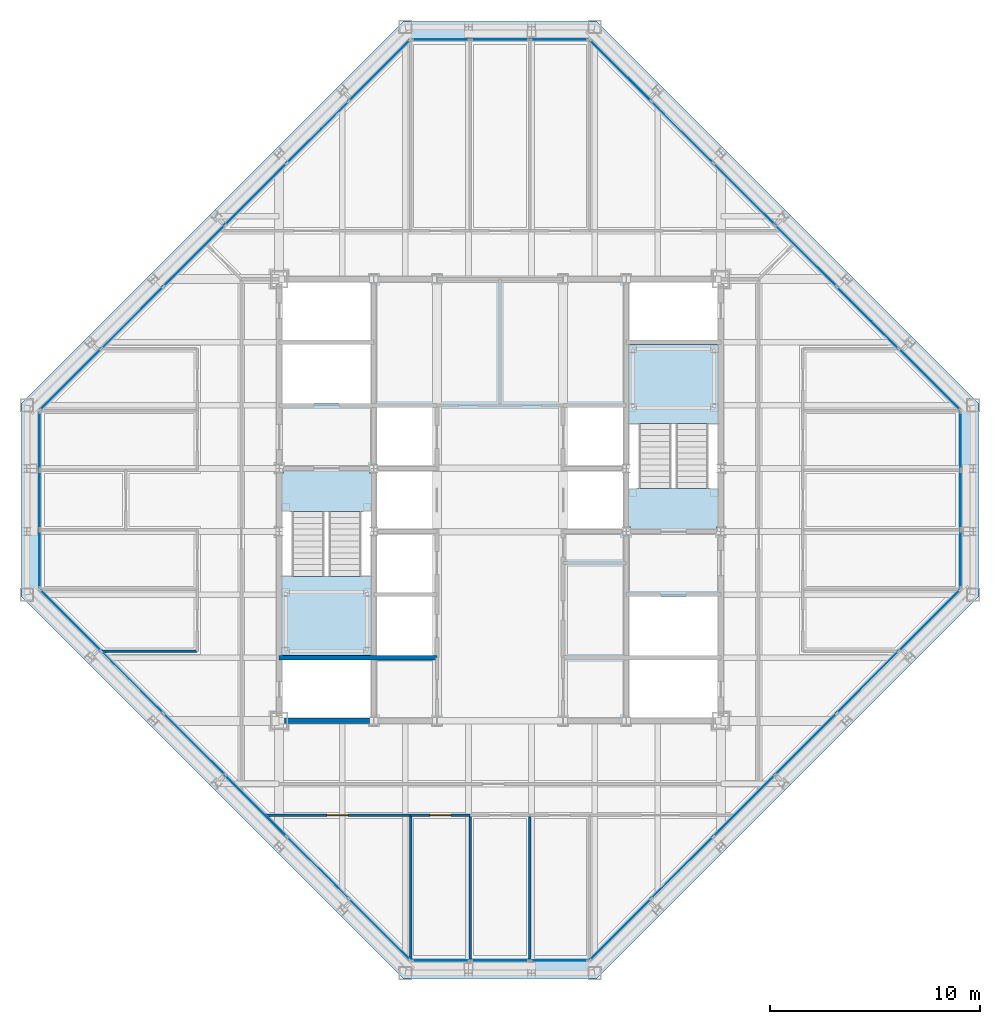
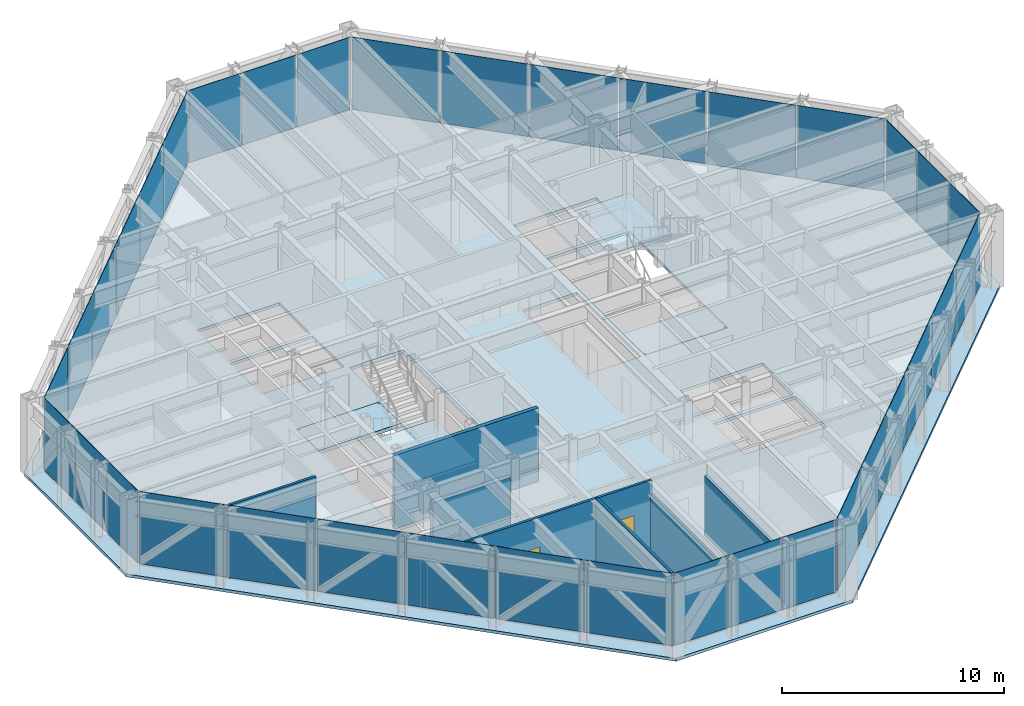
# One storey, part 9 of 15: 36 plates, 8 walls, 5 slabs, 2 doors, 2 openings, 10 elements without a shape of their own.
"""IFC4 building model written with IfcOpenShell, lengths in metres."""

from ifc_helpers import new_model, si_unit, direction, frame, frame_2d, origin, origin_2d, place, context, subcontext, project, spatial, polyline, rectangle, outline, extrude, material, layer, layer_set, type_object, element, fill, aggregate, save


model = new_model("IFC4")

# Units and contexts
model_context = context("Model", 3, precision=1e-05, world=origin(), true_north=direction((0.0, 1.0)))
body_context = subcontext(model_context, "Body", "Model", "MODEL_VIEW")
ifc_project = project(units=[si_unit("LENGTHUNIT", "METRE"), si_unit("AREAUNIT", "SQUARE_METRE"), si_unit("VOLUMEUNIT", "CUBIC_METRE"), si_unit("PLANEANGLEUNIT", "RADIAN"), si_unit("MASSUNIT", "GRAM", prefix="KILO")], contexts=[model_context])

# Site, building, storey
site_placement = place(None, origin())
site = spatial("IfcSite", under=ifc_project, at=site_placement, CompositionType="ELEMENT")
building_placement = place(site_placement, origin())
building = spatial("IfcBuilding", under=site, at=building_placement, Name="Chuquiago Exchange Tower", CompositionType="ELEMENT")
storey_placement = place(building_placement, frame((0.0, 0.0, 295.800048828125)))
storey = spatial("IfcBuildingStorey", under=building, at=storey_placement, Name="L66", CompositionType="ELEMENT", Elevation=295.800048828125)

# Curtain wall, plate
ifc_material_1 = material(Name="Aluminium curtain wall system", Category="aluminium")
ifc_layer_1 = layer(ifc_material_1, 0.22509765625)
ifc_layer_set_1 = layer_set([ifc_layer_1], Name="CW2 office curtain wall")
curtain_wall_type_1 = type_object("IfcCurtainWallType", Name="CW2 office curtain wall", PredefinedType="NOTDEFINED", material=ifc_layer_set_1)
curtain_wall_1_placement = place(storey_placement, origin())
curtain_wall_1 = element("IfcCurtainWall", 1, at=curtain_wall_1_placement, inside=storey, type_object=curtain_wall_type_1, Name="CW2 curtain wall L66", PredefinedType="NOTDEFINED")
ifc_material_2 = material(Name="Glass, insulating unit", Category="glass")
ifc_layer_2 = layer(ifc_material_2, 0.030029296875)
ifc_layer_set_2 = layer_set([ifc_layer_2], Name="CW2-P panel 30")
plate_type_1 = type_object("IfcPlateType", Name="CW2-P panel 30", PredefinedType="CURTAIN_PANEL", material=ifc_layer_set_2)
plate_1_placement = place(storey_placement, frame((25.318115234375, 0.60009765625, 0.06494140625), z_axis=(0.0, 0.0, 1.0), x_axis=(1.0, 0.0, 0.0)))
plate_1 = element("IfcPlate", 2, at=plate_1_placement, type_object=plate_type_1, Name="CW2 panel 3.1", PredefinedType="CURTAIN_PANEL", context=body_context, shape_type="SweptSolid", body=[
    extrude(rectangle(XDim=2.73681640625, YDim=0.030029296875, at=origin_2d()), origin(), (0.0, 0.0, 1.0), 3.97509765625),
])

curtain_wall_2_placement = place(storey_placement, origin())
curtain_wall_2 = element("IfcCurtainWall", 3, at=curtain_wall_2_placement, inside=storey, type_object=curtain_wall_type_1, Name="CW2 curtain wall L66", PredefinedType="NOTDEFINED")
plate_2_placement = place(storey_placement, frame((44.39990234375, 25.318115234375, 0.06494140625), z_axis=(0.0, 0.0, 1.0), x_axis=(0.0, 1.0, 0.0)))
plate_2 = element("IfcPlate", 4, at=plate_2_placement, type_object=plate_type_1, Name="CW2 panel 3.1", PredefinedType="CURTAIN_PANEL", context=body_context, shape_type="SweptSolid", body=[
    extrude(rectangle(XDim=2.73681640625, YDim=0.030029296875, at=origin_2d()), origin(), (0.0, 0.0, 1.0), 3.97509765625),
])

curtain_wall_3_placement = place(storey_placement, origin())
curtain_wall_3 = element("IfcCurtainWall", 5, at=curtain_wall_3_placement, inside=storey, type_object=curtain_wall_type_1, Name="CW2 curtain wall L66", PredefinedType="NOTDEFINED")
plate_3_placement = place(storey_placement, frame((19.681884765625, 44.39990234375, 0.06494140625), z_axis=(0.0, 0.0, 1.0), x_axis=(-1.0, 0.0, 0.0)))
plate_3 = element("IfcPlate", 6, at=plate_3_placement, type_object=plate_type_1, Name="CW2 panel 3.1", PredefinedType="CURTAIN_PANEL", context=body_context, shape_type="SweptSolid", body=[
    extrude(rectangle(XDim=2.73681640625, YDim=0.030029296875, at=origin_2d()), origin(), (0.0, 0.0, 1.0), 3.97509765625),
])

curtain_wall_4_placement = place(storey_placement, origin())
curtain_wall_4 = element("IfcCurtainWall", 7, at=curtain_wall_4_placement, inside=storey, type_object=curtain_wall_type_1, Name="CW2 curtain wall L66", PredefinedType="NOTDEFINED")
plate_4_placement = place(storey_placement, frame((0.60009765625, 19.681884765625, 0.06494140625), z_axis=(0.0, 0.0, 1.0), x_axis=(0.0, -1.0, 0.0)))
plate_4 = element("IfcPlate", 8, at=plate_4_placement, type_object=plate_type_1, Name="CW2 panel 3.1", PredefinedType="CURTAIN_PANEL", context=body_context, shape_type="SweptSolid", body=[
    extrude(rectangle(XDim=2.73681640625, YDim=0.030029296875, at=origin_2d()), origin(), (0.0, 0.0, 1.0), 3.97509765625),
])

# Plate
ifc_material_3 = material(Name="Insulated spandrel panel, pale anodised aluminium", Category="aluminium")
ifc_layer_3 = layer(ifc_material_3, 0.030029296875)
ifc_layer_set_3 = layer_set([ifc_layer_3], Name="CW2-P spandrel panel 30")
plate_type_2 = type_object("IfcPlateType", Name="CW2-P spandrel panel 30", PredefinedType="CURTAIN_PANEL", material=ifc_layer_set_3)
plate_5_placement = place(storey_placement, frame((19.681884765625, 0.60009765625, 0.06494140625), z_axis=(0.0, 0.0, 1.0), x_axis=(1.0, 0.0, 0.0)))
plate_5 = element("IfcPlate", 9, at=plate_5_placement, type_object=plate_type_2, Name="CW2 panel 1.1", PredefinedType="CURTAIN_PANEL", context=body_context, shape_type="SweptSolid", body=[
    extrude(rectangle(XDim=2.73681640625, YDim=0.030029296875, at=origin_2d()), origin(), (0.0, 0.0, 1.0), 3.97509765625),
])

plate_6_placement = place(storey_placement, frame((22.5, 0.60009765625, 0.06494140625), z_axis=(0.0, 0.0, 1.0), x_axis=(1.0, 0.0, 0.0)))
plate_6 = element("IfcPlate", 10, at=plate_6_placement, type_object=plate_type_2, Name="CW2 panel 2.1", PredefinedType="CURTAIN_PANEL", context=body_context, shape_type="SweptSolid", body=[
    extrude(rectangle(XDim=2.769287109375, YDim=0.030029296875, at=origin_2d()), origin(), (0.0, 0.0, 1.0), 3.97509765625),
])

aggregate(curtain_wall_1, [plate_5, plate_6, plate_1])

plate_7_placement = place(storey_placement, frame((44.39990234375, 19.681884765625, 0.06494140625), z_axis=(0.0, 0.0, 1.0), x_axis=(0.0, 1.0, 0.0)))
plate_7 = element("IfcPlate", 11, at=plate_7_placement, type_object=plate_type_2, Name="CW2 panel 1.1", PredefinedType="CURTAIN_PANEL", context=body_context, shape_type="SweptSolid", body=[
    extrude(rectangle(XDim=2.73681640625, YDim=0.030029296875, at=origin_2d()), origin(), (0.0, 0.0, 1.0), 3.97509765625),
])

plate_8_placement = place(storey_placement, frame((44.39990234375, 22.5, 0.06494140625), z_axis=(0.0, 0.0, 1.0), x_axis=(0.0, 1.0, 0.0)))
plate_8 = element("IfcPlate", 12, at=plate_8_placement, type_object=plate_type_2, Name="CW2 panel 2.1", PredefinedType="CURTAIN_PANEL", context=body_context, shape_type="SweptSolid", body=[
    extrude(rectangle(XDim=2.769287109375, YDim=0.030029296875, at=origin_2d()), origin(), (0.0, 0.0, 1.0), 3.97509765625),
])

aggregate(curtain_wall_2, [plate_7, plate_8, plate_2])

plate_9_placement = place(storey_placement, frame((25.318115234375, 44.39990234375, 0.06494140625), z_axis=(0.0, 0.0, 1.0), x_axis=(-1.0, 0.0, 0.0)))
plate_9 = element("IfcPlate", 13, at=plate_9_placement, type_object=plate_type_2, Name="CW2 panel 1.1", PredefinedType="CURTAIN_PANEL", context=body_context, shape_type="SweptSolid", body=[
    extrude(rectangle(XDim=2.73681640625, YDim=0.030029296875, at=origin_2d()), origin(), (0.0, 0.0, 1.0), 3.97509765625),
])

plate_10_placement = place(storey_placement, frame((22.5, 44.39990234375, 0.06494140625), z_axis=(0.0, 0.0, 1.0), x_axis=(-1.0, 0.0, 0.0)))
plate_10 = element("IfcPlate", 14, at=plate_10_placement, type_object=plate_type_2, Name="CW2 panel 2.1", PredefinedType="CURTAIN_PANEL", context=body_context, shape_type="SweptSolid", body=[
    extrude(rectangle(XDim=2.769287109375, YDim=0.030029296875, at=origin_2d()), origin(), (0.0, 0.0, 1.0), 3.97509765625),
])

aggregate(curtain_wall_3, [plate_9, plate_10, plate_3])

plate_11_placement = place(storey_placement, frame((0.60009765625, 25.318115234375, 0.06494140625), z_axis=(0.0, 0.0, 1.0), x_axis=(0.0, -1.0, 0.0)))
plate_11 = element("IfcPlate", 15, at=plate_11_placement, type_object=plate_type_2, Name="CW2 panel 1.1", PredefinedType="CURTAIN_PANEL", context=body_context, shape_type="SweptSolid", body=[
    extrude(rectangle(XDim=2.73681640625, YDim=0.030029296875, at=origin_2d()), origin(), (0.0, 0.0, 1.0), 3.97509765625),
])

plate_12_placement = place(storey_placement, frame((0.60009765625, 22.5, 0.06494140625), z_axis=(0.0, 0.0, 1.0), x_axis=(0.0, -1.0, 0.0)))
plate_12 = element("IfcPlate", 16, at=plate_12_placement, type_object=plate_type_2, Name="CW2 panel 2.1", PredefinedType="CURTAIN_PANEL", context=body_context, shape_type="SweptSolid", body=[
    extrude(rectangle(XDim=2.769287109375, YDim=0.030029296875, at=origin_2d()), origin(), (0.0, 0.0, 1.0), 3.97509765625),
])

aggregate(curtain_wall_4, [plate_11, plate_12, plate_4])

# Curtain wall, plates
ifc_material_4 = material(Name="Aluminium curtain wall system", Category="aluminium")
ifc_layer_4 = layer(ifc_material_4, 0.199951171875)
ifc_layer_set_4 = layer_set([ifc_layer_4], Name="CW3 facet curtain wall")
curtain_wall_type_2 = type_object("IfcCurtainWallType", Name="CW3 facet curtain wall", PredefinedType="NOTDEFINED", material=ifc_layer_set_4)
curtain_wall_5_placement = place(storey_placement, origin())
curtain_wall_5 = element("IfcCurtainWall", 17, at=curtain_wall_5_placement, inside=storey, type_object=curtain_wall_type_2, Name="CW3 curtain wall L66", PredefinedType="NOTDEFINED")
ifc_material_5 = material(Name="Insulated spandrel panel, pale anodised aluminium", Category="aluminium")
ifc_layer_5 = layer(ifc_material_5, 0.030029296875)
ifc_layer_set_5 = layer_set([ifc_layer_5], Name="CW3-P spandrel panel 30")
plate_type_3 = type_object("IfcPlateType", Name="CW3-P spandrel panel 30", PredefinedType="CURTAIN_PANEL", material=ifc_layer_set_5)
plate_13_placement = place(storey_placement, frame((28.233642578125, 2.082275390625, 0.06494140625), z_axis=(0.0, 0.0, 1.0), x_axis=(0.707106781187, 0.707106781187, 0.0)))
plate_13 = element("IfcPlate", 18, at=plate_13_placement, type_object=plate_type_3, Name="CW3 panel 1.1", PredefinedType="CURTAIN_PANEL", context=body_context, shape_type="SweptSolid", body=[
    extrude(rectangle(XDim=4.062255859375, YDim=0.030029296875, at=origin_2d()), origin(), (0.0, 0.0, 1.0), 3.97509765625),
])
plate_14_placement = place(storey_placement, frame((31.16357421875, 5.01220703125, 0.06494140625), z_axis=(0.0, 0.0, 1.0), x_axis=(0.707106781187, 0.707106781187, 0.0)))
plate_14 = element("IfcPlate", 19, at=plate_14_placement, type_object=plate_type_3, Name="CW3 panel 2.1", PredefinedType="CURTAIN_PANEL", context=body_context, shape_type="SweptSolid", body=[
    extrude(rectangle(XDim=4.0947265625, YDim=0.030029296875, at=origin_2d()), origin(), (0.0, 0.0, 1.0), 3.97509765625),
])
plate_15_placement = place(storey_placement, frame((34.10498046875, 7.95361328125, 0.06494140625), z_axis=(0.0, 0.0, 1.0), x_axis=(0.707106781187, 0.707106781187, 0.0)))
plate_15 = element("IfcPlate", 20, at=plate_15_placement, type_object=plate_type_3, Name="CW3 panel 3.1", PredefinedType="CURTAIN_PANEL", context=body_context, shape_type="SweptSolid", body=[
    extrude(rectangle(XDim=4.0947265625, YDim=0.030029296875, at=origin_2d()), origin(), (0.0, 0.0, 1.0), 3.97509765625),
])
plate_16_placement = place(storey_placement, frame((37.04638671875, 10.89501953125, 0.06494140625), z_axis=(0.0, 0.0, 1.0), x_axis=(0.707106781187, 0.707106781187, 0.0)))
plate_16 = element("IfcPlate", 21, at=plate_16_placement, type_object=plate_type_3, Name="CW3 panel 4.1", PredefinedType="CURTAIN_PANEL", context=body_context, shape_type="SweptSolid", body=[
    extrude(rectangle(XDim=4.0947265625, YDim=0.030029296875, at=origin_2d()), origin(), (0.0, 0.0, 1.0), 3.97509765625),
])
plate_17_placement = place(storey_placement, frame((39.98779296875, 13.83642578125, 0.06494140625), z_axis=(0.0, 0.0, 1.0), x_axis=(0.707106781187, 0.707106781187, 0.0)))
plate_17 = element("IfcPlate", 22, at=plate_17_placement, type_object=plate_type_3, Name="CW3 panel 5.1", PredefinedType="CURTAIN_PANEL", context=body_context, shape_type="SweptSolid", body=[
    extrude(rectangle(XDim=4.0947265625, YDim=0.030029296875, at=origin_2d()), origin(), (0.0, 0.0, 1.0), 3.97509765625),
])
plate_18_placement = place(storey_placement, frame((42.917724609375, 16.766357421875, 0.06494140625), z_axis=(0.0, 0.0, 1.0), x_axis=(0.707106781187, 0.707106781187, 0.0)))
plate_18 = element("IfcPlate", 23, at=plate_18_placement, type_object=plate_type_3, Name="CW3 panel 6.1", PredefinedType="CURTAIN_PANEL", context=body_context, shape_type="SweptSolid", body=[
    extrude(rectangle(XDim=4.062255859375, YDim=0.030029296875, at=origin_2d()), origin(), (0.0, 0.0, 1.0), 3.97509765625),
])
aggregate(curtain_wall_5, [plate_13, plate_14, plate_15, plate_16, plate_17, plate_18])

curtain_wall_6_placement = place(storey_placement, origin())
curtain_wall_6 = element("IfcCurtainWall", 24, at=curtain_wall_6_placement, inside=storey, type_object=curtain_wall_type_2, Name="CW3 curtain wall L66", PredefinedType="NOTDEFINED")
plate_19_placement = place(storey_placement, frame((42.917724609375, 28.233642578125, 0.06494140625), z_axis=(0.0, 0.0, 1.0), x_axis=(-0.707106781187, 0.707106781187, 0.0)))
plate_19 = element("IfcPlate", 25, at=plate_19_placement, type_object=plate_type_3, Name="CW3 panel 1.1", PredefinedType="CURTAIN_PANEL", context=body_context, shape_type="SweptSolid", body=[
    extrude(rectangle(XDim=4.062255859375, YDim=0.030029296875, at=origin_2d()), origin(), (0.0, 0.0, 1.0), 3.97509765625),
])
plate_20_placement = place(storey_placement, frame((39.98779296875, 31.16357421875, 0.06494140625), z_axis=(0.0, 0.0, 1.0), x_axis=(-0.707106781187, 0.707106781187, 0.0)))
plate_20 = element("IfcPlate", 26, at=plate_20_placement, type_object=plate_type_3, Name="CW3 panel 2.1", PredefinedType="CURTAIN_PANEL", context=body_context, shape_type="SweptSolid", body=[
    extrude(rectangle(XDim=4.0947265625, YDim=0.030029296875, at=origin_2d()), origin(), (0.0, 0.0, 1.0), 3.97509765625),
])
plate_21_placement = place(storey_placement, frame((37.04638671875, 34.10498046875, 0.06494140625), z_axis=(0.0, 0.0, 1.0), x_axis=(-0.707106781187, 0.707106781187, 0.0)))
plate_21 = element("IfcPlate", 27, at=plate_21_placement, type_object=plate_type_3, Name="CW3 panel 3.1", PredefinedType="CURTAIN_PANEL", context=body_context, shape_type="SweptSolid", body=[
    extrude(rectangle(XDim=4.0947265625, YDim=0.030029296875, at=origin_2d()), origin(), (0.0, 0.0, 1.0), 3.97509765625),
])
plate_22_placement = place(storey_placement, frame((34.10498046875, 37.04638671875, 0.06494140625), z_axis=(0.0, 0.0, 1.0), x_axis=(-0.707106781187, 0.707106781187, 0.0)))
plate_22 = element("IfcPlate", 28, at=plate_22_placement, type_object=plate_type_3, Name="CW3 panel 4.1", PredefinedType="CURTAIN_PANEL", context=body_context, shape_type="SweptSolid", body=[
    extrude(rectangle(XDim=4.0947265625, YDim=0.030029296875, at=origin_2d()), origin(), (0.0, 0.0, 1.0), 3.97509765625),
])
plate_23_placement = place(storey_placement, frame((31.16357421875, 39.98779296875, 0.06494140625), z_axis=(0.0, 0.0, 1.0), x_axis=(-0.707106781187, 0.707106781187, 0.0)))
plate_23 = element("IfcPlate", 29, at=plate_23_placement, type_object=plate_type_3, Name="CW3 panel 5.1", PredefinedType="CURTAIN_PANEL", context=body_context, shape_type="SweptSolid", body=[
    extrude(rectangle(XDim=4.0947265625, YDim=0.030029296875, at=origin_2d()), origin(), (0.0, 0.0, 1.0), 3.97509765625),
])
plate_24_placement = place(storey_placement, frame((28.233642578125, 42.917724609375, 0.06494140625), z_axis=(0.0, 0.0, 1.0), x_axis=(-0.707106781187, 0.707106781187, 0.0)))
plate_24 = element("IfcPlate", 30, at=plate_24_placement, type_object=plate_type_3, Name="CW3 panel 6.1", PredefinedType="CURTAIN_PANEL", context=body_context, shape_type="SweptSolid", body=[
    extrude(rectangle(XDim=4.062255859375, YDim=0.030029296875, at=origin_2d()), origin(), (0.0, 0.0, 1.0), 3.97509765625),
])
aggregate(curtain_wall_6, [plate_19, plate_20, plate_21, plate_22, plate_23, plate_24])

curtain_wall_7_placement = place(storey_placement, origin())
curtain_wall_7 = element("IfcCurtainWall", 31, at=curtain_wall_7_placement, inside=storey, type_object=curtain_wall_type_2, Name="CW3 curtain wall L66", PredefinedType="NOTDEFINED")
plate_25_placement = place(storey_placement, frame((16.766357421875, 42.917724609375, 0.06494140625), z_axis=(0.0, 0.0, 1.0), x_axis=(-0.707106781187, -0.707106781187, 0.0)))
plate_25 = element("IfcPlate", 32, at=plate_25_placement, type_object=plate_type_3, Name="CW3 panel 1.1", PredefinedType="CURTAIN_PANEL", context=body_context, shape_type="SweptSolid", body=[
    extrude(rectangle(XDim=4.062255859375, YDim=0.030029296875, at=origin_2d()), origin(), (0.0, 0.0, 1.0), 3.97509765625),
])
plate_26_placement = place(storey_placement, frame((13.83642578125, 39.98779296875, 0.06494140625), z_axis=(0.0, 0.0, 1.0), x_axis=(-0.707106781187, -0.707106781187, 0.0)))
plate_26 = element("IfcPlate", 33, at=plate_26_placement, type_object=plate_type_3, Name="CW3 panel 2.1", PredefinedType="CURTAIN_PANEL", context=body_context, shape_type="SweptSolid", body=[
    extrude(rectangle(XDim=4.0947265625, YDim=0.030029296875, at=origin_2d()), origin(), (0.0, 0.0, 1.0), 3.97509765625),
])
plate_27_placement = place(storey_placement, frame((10.89501953125, 37.04638671875, 0.06494140625), z_axis=(0.0, 0.0, 1.0), x_axis=(-0.707106781187, -0.707106781187, 0.0)))
plate_27 = element("IfcPlate", 34, at=plate_27_placement, type_object=plate_type_3, Name="CW3 panel 3.1", PredefinedType="CURTAIN_PANEL", context=body_context, shape_type="SweptSolid", body=[
    extrude(rectangle(XDim=4.0947265625, YDim=0.030029296875, at=origin_2d()), origin(), (0.0, 0.0, 1.0), 3.97509765625),
])
plate_28_placement = place(storey_placement, frame((7.95361328125, 34.10498046875, 0.06494140625), z_axis=(0.0, 0.0, 1.0), x_axis=(-0.707106781187, -0.707106781187, 0.0)))
plate_28 = element("IfcPlate", 35, at=plate_28_placement, type_object=plate_type_3, Name="CW3 panel 4.1", PredefinedType="CURTAIN_PANEL", context=body_context, shape_type="SweptSolid", body=[
    extrude(rectangle(XDim=4.0947265625, YDim=0.030029296875, at=origin_2d()), origin(), (0.0, 0.0, 1.0), 3.97509765625),
])
plate_29_placement = place(storey_placement, frame((5.01220703125, 31.16357421875, 0.06494140625), z_axis=(0.0, 0.0, 1.0), x_axis=(-0.707106781187, -0.707106781187, 0.0)))
plate_29 = element("IfcPlate", 36, at=plate_29_placement, type_object=plate_type_3, Name="CW3 panel 5.1", PredefinedType="CURTAIN_PANEL", context=body_context, shape_type="SweptSolid", body=[
    extrude(rectangle(XDim=4.0947265625, YDim=0.030029296875, at=origin_2d()), origin(), (0.0, 0.0, 1.0), 3.97509765625),
])
plate_30_placement = place(storey_placement, frame((2.082275390625, 28.233642578125, 0.06494140625), z_axis=(0.0, 0.0, 1.0), x_axis=(-0.707106781187, -0.707106781187, 0.0)))
plate_30 = element("IfcPlate", 37, at=plate_30_placement, type_object=plate_type_3, Name="CW3 panel 6.1", PredefinedType="CURTAIN_PANEL", context=body_context, shape_type="SweptSolid", body=[
    extrude(rectangle(XDim=4.062255859375, YDim=0.030029296875, at=origin_2d()), origin(), (0.0, 0.0, 1.0), 3.97509765625),
])
aggregate(curtain_wall_7, [plate_25, plate_26, plate_27, plate_28, plate_29, plate_30])

curtain_wall_8_placement = place(storey_placement, origin())
curtain_wall_8 = element("IfcCurtainWall", 38, at=curtain_wall_8_placement, inside=storey, type_object=curtain_wall_type_2, Name="CW3 curtain wall L66", PredefinedType="NOTDEFINED")
plate_31_placement = place(storey_placement, frame((2.082275390625, 16.766357421875, 0.06494140625), z_axis=(0.0, 0.0, 1.0), x_axis=(0.707106781187, -0.707106781187, 0.0)))
plate_31 = element("IfcPlate", 39, at=plate_31_placement, type_object=plate_type_3, Name="CW3 panel 1.1", PredefinedType="CURTAIN_PANEL", context=body_context, shape_type="SweptSolid", body=[
    extrude(rectangle(XDim=4.062255859375, YDim=0.030029296875, at=origin_2d()), origin(), (0.0, 0.0, 1.0), 3.97509765625),
])
plate_32_placement = place(storey_placement, frame((5.01220703125, 13.83642578125, 0.06494140625), z_axis=(0.0, 0.0, 1.0), x_axis=(0.707106781187, -0.707106781187, 0.0)))
plate_32 = element("IfcPlate", 40, at=plate_32_placement, type_object=plate_type_3, Name="CW3 panel 2.1", PredefinedType="CURTAIN_PANEL", context=body_context, shape_type="SweptSolid", body=[
    extrude(rectangle(XDim=4.0947265625, YDim=0.030029296875, at=origin_2d()), origin(), (0.0, 0.0, 1.0), 3.97509765625),
])
plate_33_placement = place(storey_placement, frame((7.95361328125, 10.89501953125, 0.06494140625), z_axis=(0.0, 0.0, 1.0), x_axis=(0.707106781187, -0.707106781187, 0.0)))
plate_33 = element("IfcPlate", 41, at=plate_33_placement, type_object=plate_type_3, Name="CW3 panel 3.1", PredefinedType="CURTAIN_PANEL", context=body_context, shape_type="SweptSolid", body=[
    extrude(rectangle(XDim=4.0947265625, YDim=0.030029296875, at=origin_2d()), origin(), (0.0, 0.0, 1.0), 3.97509765625),
])
plate_34_placement = place(storey_placement, frame((10.89501953125, 7.95361328125, 0.06494140625), z_axis=(0.0, 0.0, 1.0), x_axis=(0.707106781187, -0.707106781187, 0.0)))
plate_34 = element("IfcPlate", 42, at=plate_34_placement, type_object=plate_type_3, Name="CW3 panel 4.1", PredefinedType="CURTAIN_PANEL", context=body_context, shape_type="SweptSolid", body=[
    extrude(rectangle(XDim=4.0947265625, YDim=0.030029296875, at=origin_2d()), origin(), (0.0, 0.0, 1.0), 3.97509765625),
])
plate_35_placement = place(storey_placement, frame((13.83642578125, 5.01220703125, 0.06494140625), z_axis=(0.0, 0.0, 1.0), x_axis=(0.707106781187, -0.707106781187, 0.0)))
plate_35 = element("IfcPlate", 43, at=plate_35_placement, type_object=plate_type_3, Name="CW3 panel 5.1", PredefinedType="CURTAIN_PANEL", context=body_context, shape_type="SweptSolid", body=[
    extrude(rectangle(XDim=4.0947265625, YDim=0.030029296875, at=origin_2d()), origin(), (0.0, 0.0, 1.0), 3.97509765625),
])
plate_36_placement = place(storey_placement, frame((16.766357421875, 2.082275390625, 0.06494140625), z_axis=(0.0, 0.0, 1.0), x_axis=(0.707106781187, -0.707106781187, 0.0)))
plate_36 = element("IfcPlate", 44, at=plate_36_placement, type_object=plate_type_3, Name="CW3 panel 6.1", PredefinedType="CURTAIN_PANEL", context=body_context, shape_type="SweptSolid", body=[
    extrude(rectangle(XDim=4.062255859375, YDim=0.030029296875, at=origin_2d()), origin(), (0.0, 0.0, 1.0), 3.97509765625),
])
aggregate(curtain_wall_8, [plate_31, plate_32, plate_33, plate_34, plate_35, plate_36])

# Slab
ifc_material_6 = material(Name="Concrete C30/37", Category="concrete")
ifc_layer_6 = layer(ifc_material_6, 0.159912109375)
ifc_layer_set_6 = layer_set([ifc_layer_6], Name="FS1 composite floor 160")
slab_type_1 = type_object("IfcSlabType", Name="FS1 composite floor 160", PredefinedType="FLOOR", material=ifc_layer_set_6)
slab_1_placement = place(storey_placement, frame((0.0, 0.0, -0.16015625)))
element("IfcSlab", 45, at=slab_1_placement, inside=storey, type_object=slab_type_1, Name="L66 floor slab", PredefinedType="FLOOR", context=body_context, shape_type="SweptSolid", body=[
    extrude(outline(polyline([(17.896484375, -0.25), (-0.25, 17.896484375), (-0.25, 27.103515625), (17.896484375, 45.25), (27.103515625, 45.25), (45.25, 27.103515625), (45.25, 17.896484375), (27.103515625, -0.25), (17.896484375, -0.25)]), holes=[polyline([(16.39990234375, 15.10009765625), (12.10009765625, 15.10009765625), (12.10009765625, 23.89990234375), (16.39990234375, 23.89990234375), (16.39990234375, 15.10009765625)]), polyline([(32.89990234375, 21.10009765625), (28.60009765625, 21.10009765625), (28.60009765625, 29.89990234375), (32.89990234375, 29.89990234375), (32.89990234375, 21.10009765625)]), polyline([(16.39990234375, 12.10009765625), (12.10009765625, 12.10009765625), (12.10009765625, 14.89990234375), (16.39990234375, 14.89990234375), (16.39990234375, 12.10009765625)]), polyline([(16.39990234375, 30.10009765625), (12.10009765625, 30.10009765625), (12.10009765625, 32.89990234375), (16.39990234375, 32.89990234375), (16.39990234375, 30.10009765625)]), polyline([(32.89990234375, 12.10009765625), (28.60009765625, 12.10009765625), (28.60009765625, 14.89990234375), (32.89990234375, 14.89990234375), (32.89990234375, 12.10009765625)]), polyline([(32.89990234375, 30.10009765625), (28.60009765625, 30.10009765625), (28.60009765625, 32.89990234375), (32.89990234375, 32.89990234375), (32.89990234375, 30.10009765625)]), polyline([(16.39990234375, 27.10009765625), (12.10009765625, 27.10009765625), (12.10009765625, 29.89990234375), (16.39990234375, 29.89990234375), (16.39990234375, 27.10009765625)]), polyline([(32.89990234375, 15.10009765625), (28.60009765625, 15.10009765625), (28.60009765625, 17.89990234375), (32.89990234375, 17.89990234375), (32.89990234375, 15.10009765625)]), polyline([(19.39990234375, 15.10009765625), (16.60009765625, 15.10009765625), (16.60009765625, 26.89990234375), (19.39990234375, 26.89990234375), (19.39990234375, 15.10009765625)]), polyline([(28.39990234375, 21.10009765625), (25.60009765625, 21.10009765625), (25.60009765625, 26.89990234375), (28.39990234375, 26.89990234375), (28.39990234375, 21.10009765625)])]), origin(), (0.0, 0.0, 1.0), 0.16015625),
])

# Stair, slabs
ifc_material_7 = material(Name="Concrete C30/37, precast", Category="concrete")
stair_type_1 = type_object("IfcStairType", Name="ST1 half-turn stair 4200", PredefinedType="HALF_TURN_STAIR", material=ifc_material_7)
stair_1_placement = place(storey_placement, origin())
stair_1 = element("IfcStair", 46, at=stair_1_placement, inside=storey, type_object=stair_type_1, Name="Stair ST1 L66", PredefinedType="HALF_TURN_STAIR")
ifc_material_8 = material(Name="Concrete C30/37, precast", Category="concrete")
ifc_layer_7 = layer(ifc_material_8, 0.199951171875)
ifc_layer_set_7 = layer_set([ifc_layer_7], Name="ST-L landing 200")
slab_type_2 = type_object("IfcSlabType", Name="ST-L landing 200", PredefinedType="LANDING", material=ifc_layer_set_7)
slab_2_placement = place(storey_placement, frame((0.0, 0.0, -0.199951171875)))
slab_2 = element("IfcSlab", 47, at=slab_2_placement, type_object=slab_type_2, Name="ST1 landing 1", PredefinedType="LANDING", context=body_context, shape_type="SweptSolid", body=[
    extrude(outline(polyline([(12.208251953125, 23.89990234375), (16.291748046875, 23.89990234375), (16.291748046875, 23.77783203125), (16.39990234375, 23.77783203125), (16.39990234375, 21.949951171875), (12.10009765625, 21.949951171875), (12.10009765625, 23.77783203125), (12.208251953125, 23.77783203125), (12.208251953125, 23.89990234375)])), origin(), (0.0, 0.0, 1.0), 0.199951171875),
])
slab_3_placement = place(storey_placement, frame((0.0, 0.0, 1.89990234375)))
slab_3 = element("IfcSlab", 48, at=slab_3_placement, type_object=slab_type_2, Name="ST1 landing 2", PredefinedType="LANDING", context=body_context, shape_type="SweptSolid", body=[
    extrude(outline(polyline([(12.10009765625, 18.8701171875), (16.39990234375, 18.8701171875), (16.39990234375, 15.10009765625), (12.10009765625, 15.10009765625), (12.10009765625, 18.8701171875)])), origin(), (0.0, 0.0, 1.0), 0.199951171875),
])
aggregate(stair_1, [slab_2, slab_3])

ifc_material_9 = material(Name="Concrete C30/37, precast", Category="concrete")
stair_type_2 = type_object("IfcStairType", Name="ST2 half-turn stair 4200", PredefinedType="HALF_TURN_STAIR", material=ifc_material_9)
stair_2_placement = place(storey_placement, origin())
stair_2 = element("IfcStair", 49, at=stair_2_placement, inside=storey, type_object=stair_type_2, Name="Stair ST2 L66", PredefinedType="HALF_TURN_STAIR")
slab_4_placement = place(storey_placement, frame((0.0, 0.0, -0.199951171875)))
slab_4 = element("IfcSlab", 50, at=slab_4_placement, type_object=slab_type_2, Name="ST2 landing 1", PredefinedType="LANDING", context=body_context, shape_type="SweptSolid", body=[
    extrude(outline(polyline([(32.791748046875, 21.22216796875), (32.791748046875, 21.10009765625), (28.708251953125, 21.10009765625), (28.708251953125, 21.22216796875), (28.60009765625, 21.22216796875), (28.60009765625, 23.050048828125), (32.89990234375, 23.050048828125), (32.89990234375, 21.22216796875), (32.791748046875, 21.22216796875)])), origin(), (0.0, 0.0, 1.0), 0.199951171875),
])
slab_5_placement = place(storey_placement, frame((0.0, 0.0, 1.89990234375)))
slab_5 = element("IfcSlab", 51, at=slab_5_placement, type_object=slab_type_2, Name="ST2 landing 2", PredefinedType="LANDING", context=body_context, shape_type="SweptSolid", body=[
    extrude(outline(polyline([(28.60009765625, 29.89990234375), (32.89990234375, 29.89990234375), (32.89990234375, 26.1298828125), (28.60009765625, 26.1298828125), (28.60009765625, 29.89990234375)])), origin(), (0.0, 0.0, 1.0), 0.199951171875),
])
aggregate(stair_2, [slab_4, slab_5])

# Walls
ifc_material_10 = material(Name="Concrete masonry, fully grouted", Category="masonry")
ifc_layer_8 = layer(ifc_material_10, 0.25)
ifc_layer_set_8 = layer_set([ifc_layer_8], Name="W1 core wall 250")
wall_type_1 = type_object("IfcWallType", Name="W1 core wall 250", PredefinedType="SOLIDWALL", material=ifc_layer_set_8)
wall_1_placement = place(storey_placement, frame((12.25, 12.0, 0.0), z_axis=(0.0, 0.0, 1.0), x_axis=(1.0, 0.0, 0.0)))
element("IfcWall", 52, at=wall_1_placement, inside=storey, type_object=wall_type_1, Name="CW-L66-01-0", PredefinedType="SOLIDWALL", context=body_context, shape_type="SweptSolid", body=[
    extrude(rectangle(XDim=4.041748046875, YDim=0.25, at=frame_2d((2.02099609375, 0.0))), origin(), (0.0, 0.0, 1.0), 3.181396484375),
])
ifc_material_11 = material(Name="Concrete masonry, fully grouted", Category="masonry")
ifc_layer_9 = layer(ifc_material_11, 0.199951171875)
ifc_layer_set_9 = layer_set([ifc_layer_9], Name="W2 shaft wall 200")
wall_type_2 = type_object("IfcWallType", Name="W2 shaft wall 200", PredefinedType="SOLIDWALL", material=ifc_layer_set_9)
wall_2_placement = place(storey_placement, frame((12.0, 15.0, 0.0), z_axis=(0.0, 0.0, 1.0), x_axis=(1.0, 0.0, 0.0)))
element("IfcWall", 53, at=wall_2_placement, inside=storey, type_object=wall_type_2, Name="CW-L66-03-0", PredefinedType="SOLIDWALL", context=body_context, shape_type="SweptSolid", body=[
    extrude(rectangle(XDim=7.5, YDim=0.199951171875, at=frame_2d((3.75, 0.0))), origin(), (0.0, 0.0, 1.0), 4.0400390625),
])
ifc_material_12 = material(Name="Gypsum board on steel studs", Category="steel")
ifc_layer_10 = layer(ifc_material_12, 0.1201171875)
ifc_layer_set_10 = layer_set([ifc_layer_10], Name="W4 partition 120")
wall_type_3 = type_object("IfcWallType", Name="W4 partition 120", PredefinedType="PARTITIONING", material=ifc_layer_set_10)
wall_3_placement = place(storey_placement, frame((18.24853515625, 0.666015625, 0.0), z_axis=(0.0, 0.0, 1.0), x_axis=(0.0, 1.0, 0.0)))
element("IfcWall", 54, at=wall_3_placement, inside=storey, type_object=wall_type_3, Name="PW-L66-S01825", PredefinedType="PARTITIONING", context=body_context, shape_type="SweptSolid", body=[
    extrude(rectangle(XDim=6.833984375, YDim=0.1201171875, at=frame_2d((3.4169921875, 0.0))), origin(), (0.0, 0.0, 1.0), 4.0400390625),
])
for number, where, z_axis, x_axis, name in (
    (55, (21.082763671875, 0.652587890625, 0.0), (0.0, 0.0, 1.0), (0.0, 1.0, 0.0), "PW-L66-S02108"),
    (56, (23.917236328125, 0.652587890625, 0.0), (0.0, 0.0, 1.0), (0.0, 1.0, 0.0), "PW-L66-S02392"),
):
    element("IfcWall", number, at=place(storey_placement, frame(where, z_axis=z_axis, x_axis=x_axis)), inside=storey, type_object=wall_type_3, Name=name, PredefinedType="PARTITIONING", context=body_context, shape_type="SweptSolid", body=[
        extrude(rectangle(XDim=6.847412109375, YDim=0.1201171875, at=frame_2d((3.423828125, 0.0))), origin(), (0.0, 0.0, 1.0), 3.27783203125),
    ])

# Wall, opening, door
wall_4_placement = place(storey_placement, frame((11.385498046875, 7.5, 0.0), z_axis=(0.0, 0.0, 1.0), x_axis=(1.0, 0.0, 0.0)))
wall_4 = element("IfcWall", 57, at=wall_4_placement, inside=storey, type_object=wall_type_3, Name="PW-L66-SF00942", PredefinedType="PARTITIONING", context=body_context, shape_type="SweptSolid", body=[
    extrude(rectangle(XDim=6.863037109375, YDim=0.1201171875, at=frame_2d((3.431640625, 0.0))), origin(), (0.0, 0.0, 1.0), 4.0400390625),
])
opening_1_placement = place(wall_4_placement, frame((2.87939453125, 0.0, 0.0)))
opening_1 = element("IfcOpeningElement", 58, at=opening_1_placement, cuts=wall_4, Name="Opening L66-023", PredefinedType="OPENING", context=body_context, shape_type="SweptSolid", body=[
    extrude(rectangle(XDim=1.0, YDim=2.39990234375, at=frame_2d((0.5, 1.199951171875))), frame((0.0, 0.070068359375, 0.0), z_axis=(0.0, -1.0, 0.0), x_axis=(1.0, 0.0, 0.0)), (0.0, 0.0, 1.0), 0.14013671875),
])
ifc_material_13 = material(Name="Timber frame door, full height glazed panel", Category="wood")
door_type_1 = type_object("IfcDoorType", Name="D14 glazed meeting room door 1000x2400", OperationType="SINGLE_SWING_LEFT", PredefinedType="DOOR", material=ifc_material_13)
door_1_placement = place(opening_1_placement, frame((1.0, 0.0, 0.0), z_axis=(0.0, 0.0, 1.0), x_axis=(-1.0, 0.0, 0.0)))
door_1 = element("IfcDoor", 59, at=door_1_placement, inside=storey, type_object=door_type_1, Name="Conference room door", OperationType="SINGLE_SWING_RIGHT", OverallHeight=2.39990234375, OverallWidth=1.0, PredefinedType="DOOR", context=body_context, shape_type="SweptSolid", body=[
    extrude(rectangle(XDim=1.0, YDim=2.39990234375, at=frame_2d((0.5, 1.199951171875))), frame((0.0, 0.02490234375, 0.0), z_axis=(0.0, -1.0, 0.0), x_axis=(1.0, 0.0, 0.0)), (0.0, 0.0, 1.0), 0.050048828125),
])
fill(opening_1, door_1)

wall_5_placement = place(storey_placement, frame((18.24853515625, 7.5, 0.0), z_axis=(0.0, 0.0, 1.0), x_axis=(1.0, 0.0, 0.0)))
wall_5 = element("IfcWall", 60, at=wall_5_placement, inside=storey, type_object=wall_type_3, Name="PW-L66-SF01825", PredefinedType="PARTITIONING", context=body_context, shape_type="SweptSolid", body=[
    extrude(rectangle(XDim=2.834228515625, YDim=0.1201171875, at=frame_2d((1.4169921875, 0.0))), origin(), (0.0, 0.0, 1.0), 4.0400390625),
])
opening_2_placement = place(wall_5_placement, frame((0.9169921875, 0.0, 0.0)))
opening_2 = element("IfcOpeningElement", 61, at=opening_2_placement, cuts=wall_5, Name="Opening L66-024", PredefinedType="OPENING", context=body_context, shape_type="SweptSolid", body=[
    extrude(rectangle(XDim=1.0, YDim=2.39990234375, at=frame_2d((0.5, 1.199951171875))), frame((0.0, 0.070068359375, 0.0), z_axis=(0.0, -1.0, 0.0), x_axis=(1.0, 0.0, 0.0)), (0.0, 0.0, 1.0), 0.14013671875),
])
ifc_material_14 = material(Name="Timber door, laminate faced", Category="wood")
door_type_2 = type_object("IfcDoorType", Name="D9 room door 1000x2400", OperationType="SINGLE_SWING_LEFT", PredefinedType="DOOR", material=ifc_material_14)
door_2_placement = place(opening_2_placement, frame((1.0, 0.0, 0.0), z_axis=(0.0, 0.0, 1.0), x_axis=(-1.0, 0.0, 0.0)))
door_2 = element("IfcDoor", 62, at=door_2_placement, inside=storey, type_object=door_type_2, Name="Executive office door", OperationType="SINGLE_SWING_RIGHT", OverallHeight=2.39990234375, OverallWidth=1.0, PredefinedType="DOOR", context=body_context, shape_type="SweptSolid", body=[
    extrude(rectangle(XDim=1.0, YDim=2.39990234375, at=frame_2d((0.5, 1.199951171875))), frame((0.0, 0.02490234375, 0.0), z_axis=(0.0, -1.0, 0.0), x_axis=(1.0, 0.0, 0.0)), (0.0, 0.0, 1.0), 0.050048828125),
])
fill(opening_2, door_2)

# Wall
wall_6_placement = place(storey_placement, frame((3.607421875, 15.30712890625, 0.0), z_axis=(0.0, 0.0, 1.0), x_axis=(1.0, 0.0, 0.0)))
element("IfcWall", 63, at=wall_6_placement, inside=storey, type_object=wall_type_3, Name="PW-L66-W01531", PredefinedType="PARTITIONING", context=body_context, shape_type="SweptSolid", body=[
    extrude(rectangle(XDim=4.49267578125, YDim=0.1201171875, at=frame_2d((2.246337890625, 0.0))), origin(), (0.0, 0.0, 1.0), 4.0400390625),
])

save(model, "model.ifc")
